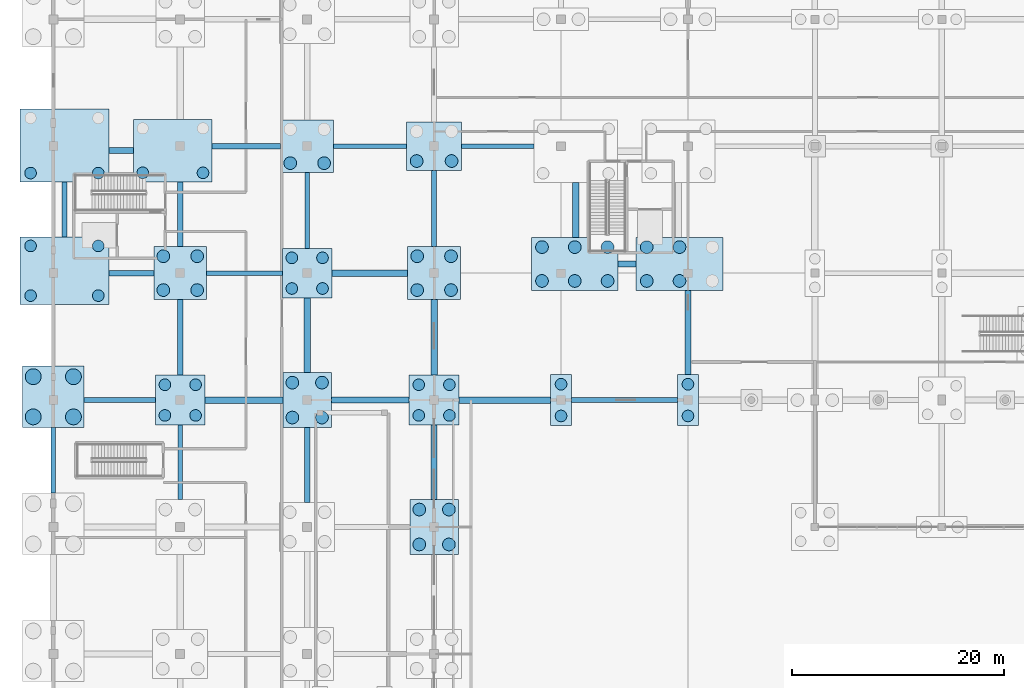
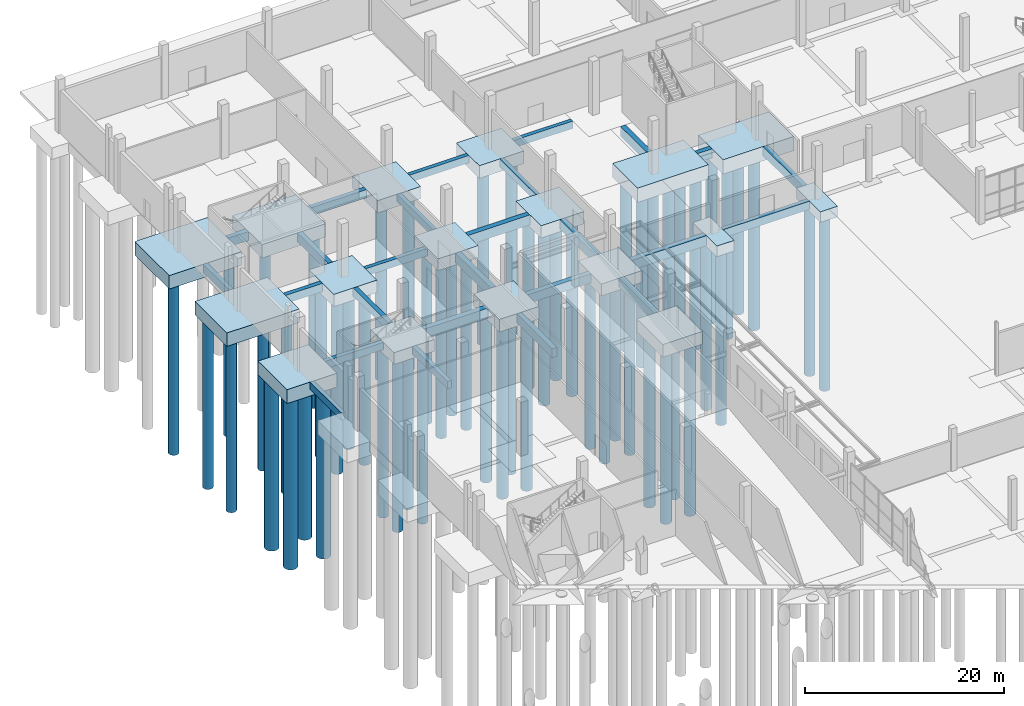
# One storey, part 5 of 117: 58 piles, 43 footings.
"""IFC4 building model written with IfcOpenShell, lengths in metres."""

import ifcopenshell
import ifcopenshell.guid

model = None  # the IFC model being written
_history = None  # IfcOwnerHistory: only IFC2X3 demands one
_inside = {}  # id of a spatial element -> (the spatial element, [elements in it])
_under = {}  # id of a project, library or spatial element -> (it, [spatial elements below it])
_declared = {}  # id of a project -> (the project, [libraries it declares])
_typed = {}  # id of a type object -> (the type object, [elements of that type])
_made_of = {}  # id of a material, layer set ... -> (it, [elements and type objects made of it])


def new_model(schema):
    """Start an empty IFC model of exactly this schema.

    Asked for "IFC4X3", IfcOpenShell would pick the latest addendum, in which some entities
    have other attributes; the version numbers below select the first issue.
    IFC2X3 requires an IfcOwnerHistory on every rooted entity: one is made here for all.
    """
    global model, _history
    if schema == "IFC4X3":
        model = ifcopenshell.file(schema_version=(4, 3, 0, 0))
    else:
        model = ifcopenshell.file(schema=schema)
    _inside.clear()
    _under.clear()
    _declared.clear()
    _typed.clear()
    _made_of.clear()
    _history = None
    if model.schema == "IFC2X3":
        org = make("IfcOrganization", Name="unknown")
        user = make(
            "IfcPersonAndOrganization",
            ThePerson=make("IfcPerson", FamilyName="unknown"),
            TheOrganization=org,
        )
        app = make(
            "IfcApplication",
            ApplicationDeveloper=org,
            Version="unknown",
            ApplicationFullName="unknown",
            ApplicationIdentifier="unknown",
        )
        _history = make(
            "IfcOwnerHistory",
            OwningUser=user,
            OwningApplication=app,
            ChangeAction="ADDED",
            CreationDate=0,
        )
    return model


def make(cls, **values):
    """One entity of the class cls with the attributes given. An attribute that is None is left unset."""
    return model.create_entity(
        cls, **{name: value for name, value in values.items() if value is not None}
    )


def rooted(cls, **values):
    """An entity with a GlobalId (a new one), such as an element, a storey or a relation."""
    return make(cls, GlobalId=ifcopenshell.guid.new(), OwnerHistory=_history, **values)


def si_unit(unit_type, name, prefix=None):
    """IfcSIUnit, for example si_unit("LENGTHUNIT", "METRE", prefix="MILLI")."""
    return make("IfcSIUnit", UnitType=unit_type, Prefix=prefix, Name=name)


def assignment(units):
    """IfcUnitAssignment: the units of a project."""
    return None if units is None else make("IfcUnitAssignment", Units=units)


def point(xyz):
    """IfcCartesianPoint."""
    return None if xyz is None else make("IfcCartesianPoint", Coordinates=xyz)


def direction(xyz):
    """IfcDirection."""
    return None if xyz is None else make("IfcDirection", DirectionRatios=xyz)


def frame(location, z_axis=None, x_axis=None):
    """IfcAxis2Placement3D, a coordinate frame: its origin and axes. An axis left out is left unset."""
    return make(
        "IfcAxis2Placement3D",
        Location=point(location),
        Axis=direction(z_axis),
        RefDirection=direction(x_axis),
    )


def frame_2d(location, x_axis=None):
    """IfcAxis2Placement2D, a coordinate frame in the plane: its origin and x axis."""
    return make(
        "IfcAxis2Placement2D", Location=point(location), RefDirection=direction(x_axis)
    )


def origin():
    """The frame at (0, 0, 0) with its axes left unset."""
    return frame((0.0, 0.0, 0.0))


def origin_2d():
    """The frame at (0, 0) in the plane with its x axis left unset."""
    return frame_2d((0.0, 0.0))


def place(relative_to, where):
    """IfcLocalPlacement: puts the frame where relative to a parent placement (None: the world)."""
    return make(
        "IfcLocalPlacement", PlacementRelTo=relative_to, RelativePlacement=where
    )


def context(
    kind, dimensions, precision=None, world=None, true_north=None, identifier=None
):
    """IfcGeometricRepresentationContext, for example the 3D "Model" context."""
    return make(
        "IfcGeometricRepresentationContext",
        ContextIdentifier=identifier,
        ContextType=kind,
        CoordinateSpaceDimension=dimensions,
        Precision=precision,
        WorldCoordinateSystem=world,
        TrueNorth=true_north,
    )


def subcontext(parent, identifier, kind, view, scale=None):
    """IfcGeometricRepresentationSubContext, for example "Body" below "Model"."""
    return make(
        "IfcGeometricRepresentationSubContext",
        ContextIdentifier=identifier,
        ContextType=kind,
        ParentContext=parent,
        TargetScale=scale,
        TargetView=view,
    )


def project(units=None, contexts=None):
    """IfcProject with its units and contexts."""
    return rooted(
        "IfcProject",
        Name="project",
        RepresentationContexts=contexts,
        UnitsInContext=assignment(units),
    )


def spatial(cls, under=None, at=None, **own):
    """A site, building, storey or space (cls), placed at a placement, below another one or the project."""
    s = rooted(cls, ObjectPlacement=at, **own)
    if under is not None:
        _under.setdefault(under.id(), (under, []))[1].append(s)
    return s


def profile(cls, at=None, kind="AREA", **sizes):
    """A parametric profile (cls). Its sizes go by their IFC names, for example OverallWidth=200.0."""
    return make(cls, ProfileType=kind, Position=at, **sizes)


def rectangle(**sizes):
    """IfcRectangleProfileDef."""
    return profile("IfcRectangleProfileDef", **sizes)


def circle(**sizes):
    """IfcCircleProfileDef."""
    return profile("IfcCircleProfileDef", **sizes)


def extrude(swept, where, along, depth):
    """IfcExtrudedAreaSolid: the profile swept, set in the frame where, extruded along a direction by depth."""
    return make(
        "IfcExtrudedAreaSolid",
        SweptArea=swept,
        Position=where,
        ExtrudedDirection=direction(along),
        Depth=depth,
    )


def shape(context_of_items, identifier, shape_type, items):
    """IfcShapeRepresentation: the items that make up one representation, for example the "Body"."""
    return make(
        "IfcShapeRepresentation",
        ContextOfItems=context_of_items,
        RepresentationIdentifier=identifier,
        RepresentationType=shape_type,
        Items=items,
    )


def material(Name=None, Category=None):
    """IfcMaterial."""
    return make("IfcMaterial", Name=Name, Category=Category)


def material_profile(
    of_material, cross_section, Name=None, Category=None, Priority=None
):
    """IfcMaterialProfile: a cross section and its material."""
    return make(
        "IfcMaterialProfile",
        Name=Name,
        Material=of_material,
        Profile=cross_section,
        Priority=Priority,
        Category=Category,
    )


def profile_set(profiles, Name=None, composite=None):
    """IfcMaterialProfileSet."""
    return make(
        "IfcMaterialProfileSet",
        Name=Name,
        MaterialProfiles=profiles,
        CompositeProfile=composite,
    )


def made_of(thing, what):
    """Note that an element or type object is made of a material, layer set ...; save() writes the relation."""
    if what is not None:
        _made_of.setdefault(what.id(), (what, []))[1].append(thing)
    return thing


def type_object(cls, material=None, **own):
    """A type object (cls), such as IfcWallType, which elements share."""
    return made_of(rooted(cls, **own), material)


def element(
    cls,
    number,
    at=None,
    inside=None,
    cuts=None,
    type_object=None,
    material=None,
    context=None,
    identifier="Body",
    shape_type=None,
    held_by="IfcProductDefinitionShape",
    body=None,
    shapes=None,
    **own,
):
    """One element of the class cls, such as IfcWall. Its Tag is "e" and its number.

    at: its placement. inside: the storey or other place that contains it. cuts: it is an
    opening in that element (IfcRelVoidsElement). A single representation is given by context,
    identifier, shape_type and body (its items); several are given by shapes. held_by: the class
    of the entity that holds the representations. save() writes the other relations.
    """
    e = rooted(cls, Tag="e%d" % number, ObjectPlacement=at, **own)
    if body is not None:
        shapes = [shape(context, identifier, shape_type, body)]
    if shapes is not None:
        e.Representation = make(held_by, Representations=shapes)
    if inside is not None:
        _inside.setdefault(inside.id(), (inside, []))[1].append(e)
    if cuts is not None:
        rooted(
            "IfcRelVoidsElement", RelatingBuildingElement=cuts, RelatedOpeningElement=e
        )
    if type_object is not None:
        _typed.setdefault(type_object.id(), (type_object, []))[1].append(e)
    return made_of(e, material)


def aggregate(whole, parts):
    """IfcRelAggregates: a whole, such as a stair, and the parts it consists of."""
    return rooted("IfcRelAggregates", RelatingObject=whole, RelatedObjects=parts)


def save(model, path):
    """Write the relations noted so far, then the file.

    IfcRelAggregates (storeys below a building ...), IfcRelContainedInSpatialStructure (elements
    in a storey), IfcRelDefinesByType, IfcRelAssociatesMaterial and IfcRelDeclares: one each for
    every whole, place, type object, material and project.
    """
    for whole, parts in _under.values():
        aggregate(whole, parts)
    for where, things in _inside.values():
        rooted(
            "IfcRelContainedInSpatialStructure",
            RelatedElements=things,
            RelatingStructure=where,
        )
    for kind, things in _typed.values():
        rooted("IfcRelDefinesByType", RelatedObjects=things, RelatingType=kind)
    for what, things in _made_of.values():
        rooted("IfcRelAssociatesMaterial", RelatedObjects=things, RelatingMaterial=what)
    for by, libraries in _declared.values():
        rooted("IfcRelDeclares", RelatingContext=by, RelatedDefinitions=libraries)
    model.write(path)


model = new_model("IFC4")

# Units and contexts
model_context = context("Model", 3, precision=1e-05, world=origin(), true_north=direction((0.0, 1.0)))
body_context = subcontext(model_context, "Body", "Model", "MODEL_VIEW")
ifc_project = project(units=[si_unit("LENGTHUNIT", "METRE"), si_unit("AREAUNIT", "SQUARE_METRE"), si_unit("VOLUMEUNIT", "CUBIC_METRE"), si_unit("PLANEANGLEUNIT", "RADIAN"), si_unit("MASSUNIT", "GRAM", prefix="KILO")], contexts=[model_context])

# Site, building, storey
site_placement = place(None, origin())
site = spatial("IfcSite", under=ifc_project, at=site_placement, CompositionType="ELEMENT")
building_placement = place(site_placement, origin())
building = spatial("IfcBuilding", under=site, at=building_placement, Name="Kamomehara Wholesale Market", CompositionType="ELEMENT")
storey_placement = place(building_placement, origin())
storey = spatial("IfcBuildingStorey", under=building, at=storey_placement, Name="L00", CompositionType="ELEMENT", Elevation=0.0)

# Footings
ifc_material_1 = material(Name="Concrete Fc30 (C30/37)", Category="concrete")
footing_type_1 = type_object("IfcFootingType", Name="CAP-2PY-4800", PredefinedType="PILE_CAP", material=ifc_material_1)
for number, where, z_axis, x_axis, name in (
    (1, (48.0, 108.0, -1.2998046875), (0.0, 0.0, 1.0), (1.0, 0.0, 0.0), "Pile cap PC-07"),
    (2, (60.0, 108.0, -1.2998046875), (0.0, 0.0, 1.0), (1.0, 0.0, 0.0), "Pile cap PC-07"),
):
    element("IfcFooting", number, at=place(storey_placement, frame(where, z_axis=z_axis, x_axis=x_axis)), inside=storey, type_object=footing_type_1, Name=name, PredefinedType="PILE_CAP", context=body_context, shape_type="SweptSolid", body=[
        extrude(rectangle(XDim=2.0, YDim=4.800048828125, at=origin_2d()), origin(), (0.0, 0.0, 1.0), 1.300048828125),
    ])
ifc_material_2 = material(Name="Concrete Fc30 (C30/37)", Category="concrete")
footing_type_2 = type_object("IfcFootingType", Name="CAP-4P-4700", PredefinedType="PILE_CAP", material=ifc_material_2)
for number, where, z_axis, x_axis, name in (
    (3, (12.0, 108.0, -1.4501953125), (0.0, 0.0, 1.0), (1.0, 0.0, 0.0), "Pile cap PC-11"),
    (4, (24.0, 120.0, -1.4501953125), (0.0, 0.0, 1.0), (1.0, 0.0, 0.0), "Pile cap PC-11"),
    (5, (36.0, 108.0, -1.4501953125), (0.0, 0.0, 1.0), (1.0, 0.0, 0.0), "Pile cap PC-11"),
):
    element("IfcFooting", number, at=place(storey_placement, frame(where, z_axis=z_axis, x_axis=x_axis)), inside=storey, type_object=footing_type_2, Name=name, PredefinedType="PILE_CAP", context=body_context, shape_type="SweptSolid", body=[
        extrude(rectangle(XDim=4.699951171875, YDim=4.699951171875, at=origin_2d()), origin(), (0.0, 0.0, 1.0), 1.449951171875),
    ])
ifc_material_3 = material(Name="Concrete Fc30 (C30/37)", Category="concrete")
footing_type_3 = type_object("IfcFootingType", Name="CAP-4P-5000", PredefinedType="PILE_CAP", material=ifc_material_3)
for number, where, z_axis, x_axis, name in (
    (6, (12.0, 120.0, -1.5), (0.0, 0.0, 1.0), (1.0, 0.0, 0.0), "Pile cap PC-12"),
    (7, (24.0, 132.0, -1.5), (0.0, 0.0, 1.0), (1.0, 0.0, 0.0), "Pile cap PC-12"),
    (8, (36.0, 120.0, -1.5), (0.0, 0.0, 1.0), (1.0, 0.0, 0.0), "Pile cap PC-12"),
):
    element("IfcFooting", number, at=place(storey_placement, frame(where, z_axis=z_axis, x_axis=x_axis)), inside=storey, type_object=footing_type_3, Name=name, PredefinedType="PILE_CAP", context=body_context, shape_type="SweptSolid", body=[
        extrude(rectangle(XDim=5.0, YDim=5.0, at=origin_2d()), origin(), (0.0, 0.0, 1.0), 1.5),
    ])
ifc_material_4 = material(Name="Concrete Fc30 (C30/37)", Category="concrete")
footing_type_4 = type_object("IfcFootingType", Name="CAP-4P-5800", PredefinedType="PILE_CAP", material=ifc_material_4)
footing_1_placement = place(storey_placement, frame((0.0, 108.31201171875, -1.7001953125), z_axis=(0.0, 0.0, 1.0), x_axis=(1.0, 0.0, 0.0)))
element("IfcFooting", 9, at=footing_1_placement, inside=storey, type_object=footing_type_4, Name="Pile cap PC-14", PredefinedType="PILE_CAP", context=body_context, shape_type="SweptSolid", body=[
    extrude(rectangle(XDim=5.800048828125, YDim=5.800048828125, at=origin_2d()), origin(), (0.0, 0.0, 1.0), 1.699951171875),
])
ifc_material_5 = material(Name="Concrete Fc30 (C30/37)", Category="concrete")
footing_type_5 = type_object("IfcFootingType", Name="CAP-4PR-4600", PredefinedType="PILE_CAP", material=ifc_material_5)
for number, where, z_axis, x_axis, name in (
    (10, (24.0, 108.0, -1.5498046875), (0.0, 0.0, 1.0), (1.0, 0.0, 0.0), "Pile cap PC-16"),
    (11, (36.0, 96.0, -1.5498046875), (0.0, 0.0, 1.0), (1.0, 0.0, 0.0), "Pile cap PC-16"),
):
    element("IfcFooting", number, at=place(storey_placement, frame(where, z_axis=z_axis, x_axis=x_axis)), inside=storey, type_object=footing_type_5, Name=name, PredefinedType="PILE_CAP", context=body_context, shape_type="SweptSolid", body=[
        extrude(rectangle(XDim=4.60009765625, YDim=5.199951171875, at=origin_2d()), origin(), (0.0, 0.0, 1.0), 1.550048828125),
    ])
ifc_material_6 = material(Name="Concrete Fc30 (C30/37)", Category="concrete")
footing_type_6 = type_object("IfcFootingType", Name="CAP-4PR-5200", PredefinedType="PILE_CAP", material=ifc_material_6)
footing_2_placement = place(storey_placement, frame((36.0, 132.0, -1.5498046875), z_axis=(0.0, 0.0, 1.0), x_axis=(1.0, 0.0, 0.0)))
element("IfcFooting", 12, at=footing_2_placement, inside=storey, type_object=footing_type_6, Name="Pile cap PC-15", PredefinedType="PILE_CAP", context=body_context, shape_type="SweptSolid", body=[
    extrude(rectangle(XDim=5.199951171875, YDim=4.60009765625, at=origin_2d()), origin(), (0.0, 0.0, 1.0), 1.550048828125),
])
ifc_material_7 = material(Name="Concrete Fc30 (C30/37)", Category="concrete")
footing_type_7 = type_object("IfcFootingType", Name="CAP-6P-8200", PredefinedType="PILE_CAP", material=ifc_material_7)
for number, where, z_axis, x_axis, name in (
    (13, (49.300048828125, 120.862060546875, -1.75), (0.0, 0.0, 1.0), (1.0, 0.0, 0.0), "Pile cap PC-17"),
    (14, (59.199951171875, 120.862060546875, -1.75), (0.0, 0.0, 1.0), (1.0, 0.0, 0.0), "Pile cap PC-17"),
):
    element("IfcFooting", number, at=place(storey_placement, frame(where, z_axis=z_axis, x_axis=x_axis)), inside=storey, type_object=footing_type_7, Name=name, PredefinedType="PILE_CAP", context=body_context, shape_type="SweptSolid", body=[
        extrude(rectangle(XDim=8.199951171875, YDim=5.0, at=origin_2d()), origin(), (0.0, 0.0, 1.0), 1.75),
    ])
ifc_material_8 = material(Name="Concrete Fc30 (C30/37)", Category="concrete")
footing_type_8 = type_object("IfcFootingType", Name="CAP-CMB-740x590", PredefinedType="PILE_CAP", material=ifc_material_8)
footing_3_placement = place(storey_placement, frame((11.300048828125, 131.587890625, -1.64990234375), z_axis=(0.0, 0.0, 1.0), x_axis=(1.0, 0.0, 0.0)))
element("IfcFooting", 15, at=footing_3_placement, inside=storey, type_object=footing_type_8, Name="Pile cap PCC-74x59", PredefinedType="PILE_CAP", context=body_context, shape_type="SweptSolid", body=[
    extrude(rectangle(XDim=7.39990234375, YDim=5.89990234375, at=origin_2d()), origin(), (0.0, 0.0, 1.0), 1.64990234375),
])
ifc_material_9 = material(Name="Concrete Fc30 (C30/37)", Category="concrete")
footing_type_9 = type_object("IfcFootingType", Name="CAP-CMB-840x640", PredefinedType="PILE_CAP", material=ifc_material_9)
footing_4_placement = place(storey_placement, frame((1.050048828125, 120.22509765625, -1.64990234375), z_axis=(0.0, 0.0, 1.0), x_axis=(1.0, 0.0, 0.0)))
element("IfcFooting", 16, at=footing_4_placement, inside=storey, type_object=footing_type_9, Name="Pile cap PCC-84x64", PredefinedType="PILE_CAP", context=body_context, shape_type="SweptSolid", body=[
    extrude(rectangle(XDim=8.39990234375, YDim=6.39990234375, at=origin_2d()), origin(), (0.0, 0.0, 1.0), 1.64990234375),
])
ifc_material_10 = material(Name="Concrete Fc30 (C30/37)", Category="concrete")
footing_type_10 = type_object("IfcFootingType", Name="CAP-CMB-840x690", PredefinedType="PILE_CAP", material=ifc_material_10)
footing_5_placement = place(storey_placement, frame((1.050048828125, 132.06201171875, -1.64990234375), z_axis=(0.0, 0.0, 1.0), x_axis=(1.0, 0.0, 0.0)))
element("IfcFooting", 17, at=footing_5_placement, inside=storey, type_object=footing_type_10, Name="Pile cap PCC-84x69", PredefinedType="PILE_CAP", context=body_context, shape_type="SweptSolid", body=[
    extrude(rectangle(XDim=8.39990234375, YDim=6.89990234375, at=origin_2d()), origin(), (0.0, 0.0, 1.0), 1.64990234375),
])
ifc_material_11 = material(Name="Concrete Fc30 (C30/37)", Category="concrete")
ifc_material_profile_1 = material_profile(ifc_material_11, rectangle(XDim=0.449951171875, YDim=0.89990234375, at=origin_2d()), Name="RC-FTB-450x900")
ifc_profile_set_1 = profile_set([ifc_material_profile_1], Name="Concrete Fc30 (C30/37)")
footing_type_11 = type_object("IfcFootingType", Name="FTB-450x900", PredefinedType="FOOTING_BEAM", material=ifc_profile_set_1)
footing_6_placement = place(storey_placement, frame((2.902099609375, 108.0, -0.449951171875), z_axis=(1.0, 0.0, 0.0), x_axis=(0.0, 1.0, 0.0)))
element("IfcFooting", 18, at=footing_6_placement, inside=storey, type_object=footing_type_11, Name="Foundation tie beam 7", PredefinedType="FOOTING_BEAM", context=body_context, shape_type="SweptSolid", body=[
    extrude(rectangle(XDim=0.449951171875, YDim=0.89990234375, at=origin_2d()), origin(), (0.0, 0.0, 1.0), 6.745849609375),
])
footing_7_placement = place(storey_placement, frame((14.501953125, 120.0, -0.449951171875), z_axis=(1.0, 0.0, 0.0), x_axis=(0.0, 1.0, 0.0)))
element("IfcFooting", 19, at=footing_7_placement, inside=storey, type_object=footing_type_11, Name="Foundation tie beam 19", PredefinedType="FOOTING_BEAM", context=body_context, shape_type="SweptSolid", body=[
    extrude(rectangle(XDim=0.449951171875, YDim=0.89990234375, at=origin_2d()), origin(), (0.0, 0.0, 1.0), 7.14599609375),
])
footing_8_placement = place(storey_placement, frame((26.501953125, 132.0, -0.449951171875), z_axis=(1.0, 0.0, 0.0), x_axis=(0.0, 1.0, 0.0)))
element("IfcFooting", 20, at=footing_8_placement, inside=storey, type_object=footing_type_11, Name="Foundation tie beam 31", PredefinedType="FOOTING_BEAM", context=body_context, shape_type="SweptSolid", body=[
    extrude(rectangle(XDim=0.449951171875, YDim=0.89990234375, at=origin_2d()), origin(), (0.0, 0.0, 1.0), 6.89599609375),
])
footing_9_placement = place(storey_placement, frame((38.60205078125, 132.0, -0.449951171875), z_axis=(1.0, 0.0, 0.0), x_axis=(0.0, 1.0, 0.0)))
element("IfcFooting", 21, at=footing_9_placement, inside=storey, type_object=footing_type_11, Name="Foundation tie beam 39", PredefinedType="FOOTING_BEAM", context=body_context, shape_type="SweptSolid", body=[
    extrude(rectangle(XDim=0.449951171875, YDim=0.89990234375, at=origin_2d()), origin(), (0.0, 0.0, 1.0), 6.845947265625),
])
footing_10_placement = place(storey_placement, frame((0.0, 99.201904296875, -0.449951171875), z_axis=(0.0, 1.0, 0.0), x_axis=(-1.0, 0.0, 0.0)))
element("IfcFooting", 22, at=footing_10_placement, inside=storey, type_object=footing_type_11, Name="Foundation tie beam 207", PredefinedType="FOOTING_BEAM", context=body_context, shape_type="SweptSolid", body=[
    extrude(rectangle(XDim=0.449951171875, YDim=0.89990234375, at=origin_2d()), origin(), (0.0, 0.0, 1.0), 6.2080078125),
])
footing_11_placement = place(storey_placement, frame((12.0, 98.60205078125, -0.449951171875), z_axis=(0.0, 1.0, 0.0), x_axis=(-1.0, 0.0, 0.0)))
element("IfcFooting", 23, at=footing_11_placement, inside=storey, type_object=footing_type_11, Name="Foundation tie beam 215", PredefinedType="FOOTING_BEAM", context=body_context, shape_type="SweptSolid", body=[
    extrude(rectangle(XDim=0.449951171875, YDim=0.89990234375, at=origin_2d()), origin(), (0.0, 0.0, 1.0), 7.0458984375),
])
footing_12_placement = place(storey_placement, frame((24.0, 122.35205078125, -0.449951171875), z_axis=(0.0, 1.0, 0.0), x_axis=(-1.0, 0.0, 0.0)))
element("IfcFooting", 24, at=footing_12_placement, inside=storey, type_object=footing_type_11, Name="Foundation tie beam 227", PredefinedType="FOOTING_BEAM", context=body_context, shape_type="SweptSolid", body=[
    extrude(rectangle(XDim=0.449951171875, YDim=0.89990234375, at=origin_2d()), origin(), (0.0, 0.0, 1.0), 7.14599609375),
])
footing_13_placement = place(storey_placement, frame((36.0, 122.501953125, -0.449951171875), z_axis=(0.0, 1.0, 0.0), x_axis=(-1.0, 0.0, 0.0)))
element("IfcFooting", 25, at=footing_13_placement, inside=storey, type_object=footing_type_11, Name="Foundation tie beam 239", PredefinedType="FOOTING_BEAM", context=body_context, shape_type="SweptSolid", body=[
    extrude(rectangle(XDim=0.449951171875, YDim=0.89990234375, at=origin_2d()), origin(), (0.0, 0.0, 1.0), 7.196044921875),
])
ifc_material_12 = material(Name="Concrete Fc30 (C30/37)", Category="concrete")
ifc_material_profile_2 = material_profile(ifc_material_12, rectangle(XDim=0.5, YDim=1.0, at=origin_2d()), Name="RC-FTB-500x1000")
ifc_profile_set_2 = profile_set([ifc_material_profile_2], Name="Concrete Fc30 (C30/37)")
footing_type_12 = type_object("IfcFootingType", Name="FTB-500x1000", PredefinedType="FOOTING_BEAM", material=ifc_profile_set_2)
footing_14_placement = place(storey_placement, frame((5.251953125, 120.0, -0.5), z_axis=(1.0, 0.0, 0.0), x_axis=(0.0, 1.0, 0.0)))
element("IfcFooting", 26, at=footing_14_placement, inside=storey, type_object=footing_type_12, Name="Foundation tie beam 8", PredefinedType="FOOTING_BEAM", context=body_context, shape_type="SweptSolid", body=[
    extrude(rectangle(XDim=0.5, YDim=1.0, at=origin_2d()), origin(), (0.0, 0.0, 1.0), 4.24609375),
])
footing_15_placement = place(storey_placement, frame((15.001953125, 132.0, -0.5), z_axis=(1.0, 0.0, 0.0), x_axis=(0.0, 1.0, 0.0)))
element("IfcFooting", 27, at=footing_15_placement, inside=storey, type_object=footing_type_12, Name="Foundation tie beam 20", PredefinedType="FOOTING_BEAM", context=body_context, shape_type="SweptSolid", body=[
    extrude(rectangle(XDim=0.5, YDim=1.0, at=origin_2d()), origin(), (0.0, 0.0, 1.0), 6.49609375),
])
footing_16_placement = place(storey_placement, frame((49.001953125, 108.0, -0.5), z_axis=(1.0, 0.0, 0.0), x_axis=(0.0, 1.0, 0.0)))
element("IfcFooting", 28, at=footing_16_placement, inside=storey, type_object=footing_type_12, Name="Foundation tie beam 48", PredefinedType="FOOTING_BEAM", context=body_context, shape_type="SweptSolid", body=[
    extrude(rectangle(XDim=0.5, YDim=1.0, at=origin_2d()), origin(), (0.0, 0.0, 1.0), 9.99609375),
])
footing_17_placement = place(storey_placement, frame((1.050048828125, 123.427001953125, -0.5), z_axis=(0.0, 1.0, 0.0), x_axis=(-1.0, 0.0, 0.0)))
element("IfcFooting", 29, at=footing_17_placement, inside=storey, type_object=footing_type_12, Name="Foundation tie beam 208", PredefinedType="FOOTING_BEAM", context=body_context, shape_type="SweptSolid", body=[
    extrude(rectangle(XDim=0.5, YDim=1.0, at=origin_2d()), origin(), (0.0, 0.0, 1.0), 5.18310546875),
])
footing_18_placement = place(storey_placement, frame((12.0, 110.35205078125, -0.5), z_axis=(0.0, 1.0, 0.0), x_axis=(-1.0, 0.0, 0.0)))
element("IfcFooting", 30, at=footing_18_placement, inside=storey, type_object=footing_type_12, Name="Foundation tie beam 216", PredefinedType="FOOTING_BEAM", context=body_context, shape_type="SweptSolid", body=[
    extrude(rectangle(XDim=0.5, YDim=1.0, at=origin_2d()), origin(), (0.0, 0.0, 1.0), 7.14599609375),
])
ifc_material_13 = material(Name="Concrete Fc30 (C30/37)", Category="concrete")
ifc_material_profile_3 = material_profile(ifc_material_13, rectangle(XDim=0.550048828125, YDim=1.10009765625, at=origin_2d()), Name="RC-FTB-550x1100")
ifc_profile_set_3 = profile_set([ifc_material_profile_3], Name="Concrete Fc30 (C30/37)")
footing_type_13 = type_object("IfcFootingType", Name="FTB-550x1100", PredefinedType="FOOTING_BEAM", material=ifc_profile_set_3)
footing_19_placement = place(storey_placement, frame((5.251953125, 131.587890625, -0.550048828125), z_axis=(1.0, 0.0, 0.0), x_axis=(0.0, 1.0, 0.0)))
element("IfcFooting", 31, at=footing_19_placement, inside=storey, type_object=footing_type_13, Name="Foundation tie beam 9", PredefinedType="FOOTING_BEAM", context=body_context, shape_type="SweptSolid", body=[
    extrude(rectangle(XDim=0.550048828125, YDim=1.10009765625, at=origin_2d()), origin(), (0.0, 0.0, 1.0), 2.345947265625),
])
footing_20_placement = place(storey_placement, frame((26.302001953125, 108.0, -0.550048828125), z_axis=(1.0, 0.0, 0.0), x_axis=(0.0, 1.0, 0.0)))
element("IfcFooting", 32, at=footing_20_placement, inside=storey, type_object=footing_type_13, Name="Foundation tie beam 29", PredefinedType="FOOTING_BEAM", context=body_context, shape_type="SweptSolid", body=[
    extrude(rectangle(XDim=0.550048828125, YDim=1.10009765625, at=origin_2d()), origin(), (0.0, 0.0, 1.0), 7.345947265625),
])
footing_21_placement = place(storey_placement, frame((53.402099609375, 120.862060546875, -0.550048828125), z_axis=(1.0, 0.0, 0.0), x_axis=(0.0, 1.0, 0.0)))
element("IfcFooting", 33, at=footing_21_placement, inside=storey, type_object=footing_type_13, Name="Foundation tie beam 49", PredefinedType="FOOTING_BEAM", context=body_context, shape_type="SweptSolid", body=[
    extrude(rectangle(XDim=0.550048828125, YDim=1.10009765625, at=origin_2d()), origin(), (0.0, 0.0, 1.0), 1.69580078125),
])
footing_22_placement = place(storey_placement, frame((12.0, 122.501953125, -0.550048828125), z_axis=(0.0, 1.0, 0.0), x_axis=(-1.0, 0.0, 0.0)))
element("IfcFooting", 34, at=footing_22_placement, inside=storey, type_object=footing_type_13, Name="Foundation tie beam 217", PredefinedType="FOOTING_BEAM", context=body_context, shape_type="SweptSolid", body=[
    extrude(rectangle(XDim=0.550048828125, YDim=1.10009765625, at=origin_2d()), origin(), (0.0, 0.0, 1.0), 6.134033203125),
])
footing_23_placement = place(storey_placement, frame((24.0, 98.302001953125, -0.550048828125), z_axis=(0.0, 1.0, 0.0), x_axis=(-1.0, 0.0, 0.0)))
element("IfcFooting", 35, at=footing_23_placement, inside=storey, type_object=footing_type_13, Name="Foundation tie beam 225", PredefinedType="FOOTING_BEAM", context=body_context, shape_type="SweptSolid", body=[
    extrude(rectangle(XDim=0.550048828125, YDim=1.10009765625, at=origin_2d()), origin(), (0.0, 0.0, 1.0), 7.095947265625),
])
footing_24_placement = place(storey_placement, frame((36.0, 98.60205078125, -0.550048828125), z_axis=(0.0, 1.0, 0.0), x_axis=(-1.0, 0.0, 0.0)))
element("IfcFooting", 36, at=footing_24_placement, inside=storey, type_object=footing_type_13, Name="Foundation tie beam 237", PredefinedType="FOOTING_BEAM", context=body_context, shape_type="SweptSolid", body=[
    extrude(rectangle(XDim=0.550048828125, YDim=1.10009765625, at=origin_2d()), origin(), (0.0, 0.0, 1.0), 7.0458984375),
])
footing_25_placement = place(storey_placement, frame((60.0, 110.402099609375, -0.550048828125), z_axis=(0.0, 1.0, 0.0), x_axis=(-1.0, 0.0, 0.0)))
element("IfcFooting", 37, at=footing_25_placement, inside=storey, type_object=footing_type_13, Name="Foundation tie beam 253", PredefinedType="FOOTING_BEAM", context=body_context, shape_type="SweptSolid", body=[
    extrude(rectangle(XDim=0.550048828125, YDim=1.10009765625, at=origin_2d()), origin(), (0.0, 0.0, 1.0), 7.9580078125),
])
ifc_material_14 = material(Name="Concrete Fc30 (C30/37)", Category="concrete")
ifc_material_profile_4 = material_profile(ifc_material_14, rectangle(XDim=0.60009765625, YDim=1.199951171875, at=origin_2d()), Name="RC-FTB-600x1200")
ifc_profile_set_4 = profile_set([ifc_material_profile_4], Name="Concrete Fc30 (C30/37)")
footing_type_14 = type_object("IfcFootingType", Name="FTB-600x1200", PredefinedType="FOOTING_BEAM", material=ifc_profile_set_4)
footing_26_placement = place(storey_placement, frame((14.35205078125, 108.0, -0.60009765625), z_axis=(1.0, 0.0, 0.0), x_axis=(0.0, 1.0, 0.0)))
element("IfcFooting", 38, at=footing_26_placement, inside=storey, type_object=footing_type_14, Name="Foundation tie beam 18", PredefinedType="FOOTING_BEAM", context=body_context, shape_type="SweptSolid", body=[
    extrude(rectangle(XDim=0.60009765625, YDim=1.199951171875, at=origin_2d()), origin(), (0.0, 0.0, 1.0), 7.345947265625),
])
footing_27_placement = place(storey_placement, frame((26.35205078125, 120.0, -0.60009765625), z_axis=(1.0, 0.0, 0.0), x_axis=(0.0, 1.0, 0.0)))
element("IfcFooting", 39, at=footing_27_placement, inside=storey, type_object=footing_type_14, Name="Foundation tie beam 30", PredefinedType="FOOTING_BEAM", context=body_context, shape_type="SweptSolid", body=[
    extrude(rectangle(XDim=0.60009765625, YDim=1.199951171875, at=origin_2d()), origin(), (0.0, 0.0, 1.0), 7.14599609375),
])
footing_28_placement = place(storey_placement, frame((38.35205078125, 108.0, -0.60009765625), z_axis=(1.0, 0.0, 0.0), x_axis=(0.0, 1.0, 0.0)))
element("IfcFooting", 40, at=footing_28_placement, inside=storey, type_object=footing_type_14, Name="Foundation tie beam 38", PredefinedType="FOOTING_BEAM", context=body_context, shape_type="SweptSolid", body=[
    extrude(rectangle(XDim=0.60009765625, YDim=1.199951171875, at=origin_2d()), origin(), (0.0, 0.0, 1.0), 8.64599609375),
])
footing_29_placement = place(storey_placement, frame((24.0, 110.60205078125, -0.60009765625), z_axis=(0.0, 1.0, 0.0), x_axis=(-1.0, 0.0, 0.0)))
element("IfcFooting", 41, at=footing_29_placement, inside=storey, type_object=footing_type_14, Name="Foundation tie beam 226", PredefinedType="FOOTING_BEAM", context=body_context, shape_type="SweptSolid", body=[
    extrude(rectangle(XDim=0.60009765625, YDim=1.199951171875, at=origin_2d()), origin(), (0.0, 0.0, 1.0), 7.0458984375),
])
footing_30_placement = place(storey_placement, frame((36.0, 110.35205078125, -0.60009765625), z_axis=(0.0, 1.0, 0.0), x_axis=(-1.0, 0.0, 0.0)))
element("IfcFooting", 42, at=footing_30_placement, inside=storey, type_object=footing_type_14, Name="Foundation tie beam 238", PredefinedType="FOOTING_BEAM", context=body_context, shape_type="SweptSolid", body=[
    extrude(rectangle(XDim=0.60009765625, YDim=1.199951171875, at=origin_2d()), origin(), (0.0, 0.0, 1.0), 7.14599609375),
])
footing_31_placement = place(storey_placement, frame((49.39990234375, 123.364013671875, -0.60009765625), z_axis=(0.0, 1.0, 0.0), x_axis=(-1.0, 0.0, 0.0)))
element("IfcFooting", 43, at=footing_31_placement, inside=storey, type_object=footing_type_14, Name="Foundation tie beam 246", PredefinedType="FOOTING_BEAM", context=body_context, shape_type="SweptSolid", body=[
    extrude(rectangle(XDim=0.60009765625, YDim=1.199951171875, at=origin_2d()), origin(), (0.0, 0.0, 1.0), 5.220947265625),
])

# Piles
ifc_material_15 = material(Name="Concrete Fc30 (C30/37)", Category="concrete")
ifc_material_profile_5 = material_profile(ifc_material_15, circle(Radius=0.550048828125, at=origin_2d()), Name="RC-PILE-D1100")
ifc_profile_set_5 = profile_set([ifc_material_profile_5], Name="Concrete Fc30 (C30/37)")
pile_type_1 = type_object("IfcPileType", Name="PILE-D1100", PredefinedType="BORED", material=ifc_profile_set_5)
for number, where, z_axis, x_axis, name in (
    (44, (-2.14990234375, 117.875, -1.550048828125), (0.0, 0.0, -1.0), (1.0, 0.0, 0.0), "Bored pile 8.29"),
    (45, (4.25, 117.875, -1.550048828125), (0.0, 0.0, -1.0), (1.0, 0.0, 0.0), "Bored pile 8.30"),
    (46, (-2.14990234375, 122.574951171875, -1.550048828125), (0.0, 0.0, -1.0), (1.0, 0.0, 0.0), "Bored pile 8.31"),
    (47, (4.25, 122.574951171875, -1.550048828125), (0.0, 0.0, -1.0), (1.0, 0.0, 0.0), "Bored pile 8.32"),
    (48, (-2.14990234375, 129.4619140625, -1.550048828125), (0.0, 0.0, -1.0), (1.0, 0.0, 0.0), "Bored pile 9.33"),
    (49, (4.25, 129.4619140625, -1.550048828125), (0.0, 0.0, -1.0), (1.0, 0.0, 0.0), "Bored pile 9.34"),
):
    element("IfcPile", number, at=place(storey_placement, frame(where, z_axis=z_axis, x_axis=x_axis)), inside=storey, type_object=pile_type_1, Name=name, PredefinedType="BORED", context=body_context, shape_type="SweptSolid", body=[
        extrude(circle(Radius=0.550048828125, at=origin_2d()), origin(), (0.0, 0.0, 1.0), 20.949951171875),
    ])
for number, where, z_axis, x_axis, name in (
    (50, (10.550048828125, 106.550048828125, -1.35009765625), (0.0, 0.0, -1.0), (1.0, 0.0, 0.0), "Bored pile 18.67"),
    (51, (13.449951171875, 106.550048828125, -1.35009765625), (0.0, 0.0, -1.0), (1.0, 0.0, 0.0), "Bored pile 18.68"),
    (52, (10.550048828125, 109.449951171875, -1.35009765625), (0.0, 0.0, -1.0), (1.0, 0.0, 0.0), "Bored pile 18.69"),
    (53, (13.449951171875, 109.449951171875, -1.35009765625), (0.0, 0.0, -1.0), (1.0, 0.0, 0.0), "Bored pile 18.70"),
):
    element("IfcPile", number, at=place(storey_placement, frame(where, z_axis=z_axis, x_axis=x_axis)), inside=storey, type_object=pile_type_1, Name=name, PredefinedType="BORED", context=body_context, shape_type="SweptSolid", body=[
        extrude(circle(Radius=0.550048828125, at=origin_2d()), origin(), (0.0, 0.0, 1.0), 21.14990234375),
    ])
for number, where, z_axis, x_axis, name in (
    (54, (8.449951171875, 129.488037109375, -1.550048828125), (0.0, 0.0, -1.0), (1.0, 0.0, 0.0), "Bored pile 20.75"),
    (55, (14.14990234375, 129.488037109375, -1.550048828125), (0.0, 0.0, -1.0), (1.0, 0.0, 0.0), "Bored pile 20.76"),
):
    element("IfcPile", number, at=place(storey_placement, frame(where, z_axis=z_axis, x_axis=x_axis)), inside=storey, type_object=pile_type_1, Name=name, PredefinedType="BORED", context=body_context, shape_type="SweptSolid", body=[
        extrude(circle(Radius=0.550048828125, at=origin_2d()), origin(), (0.0, 0.0, 1.0), 20.949951171875),
    ])
for number, where, z_axis, x_axis, name in (
    (56, (22.550048828125, 118.550048828125, -1.35009765625), (0.0, 0.0, -1.0), (1.0, 0.0, 0.0), "Bored pile 30.113"),
    (57, (25.449951171875, 118.550048828125, -1.35009765625), (0.0, 0.0, -1.0), (1.0, 0.0, 0.0), "Bored pile 30.114"),
    (58, (22.550048828125, 121.449951171875, -1.35009765625), (0.0, 0.0, -1.0), (1.0, 0.0, 0.0), "Bored pile 30.115"),
    (59, (25.449951171875, 121.449951171875, -1.35009765625), (0.0, 0.0, -1.0), (1.0, 0.0, 0.0), "Bored pile 30.116"),
    (60, (34.550048828125, 106.550048828125, -1.35009765625), (0.0, 0.0, -1.0), (1.0, 0.0, 0.0), "Bored pile 42.152"),
    (61, (37.449951171875, 106.550048828125, -1.35009765625), (0.0, 0.0, -1.0), (1.0, 0.0, 0.0), "Bored pile 42.153"),
    (62, (34.550048828125, 109.449951171875, -1.35009765625), (0.0, 0.0, -1.0), (1.0, 0.0, 0.0), "Bored pile 42.154"),
    (63, (37.449951171875, 109.449951171875, -1.35009765625), (0.0, 0.0, -1.0), (1.0, 0.0, 0.0), "Bored pile 42.155"),
):
    element("IfcPile", number, at=place(storey_placement, frame(where, z_axis=z_axis, x_axis=x_axis)), inside=storey, type_object=pile_type_1, Name=name, PredefinedType="BORED", context=body_context, shape_type="SweptSolid", body=[
        extrude(circle(Radius=0.550048828125, at=origin_2d()), origin(), (0.0, 0.0, 1.0), 21.14990234375),
    ])
for number, where, z_axis, x_axis, name in (
    (64, (48.0, 106.5, -1.199951171875), (0.0, 0.0, -1.0), (1.0, 0.0, 0.0), "Bored pile 53.181"),
    (65, (48.0, 109.5, -1.199951171875), (0.0, 0.0, -1.0), (1.0, 0.0, 0.0), "Bored pile 53.182"),
    (66, (60.0, 106.5, -1.199951171875), (0.0, 0.0, -1.0), (1.0, 0.0, 0.0), "Bored pile 64.213"),
    (67, (60.0, 109.5, -1.199951171875), (0.0, 0.0, -1.0), (1.0, 0.0, 0.0), "Bored pile 64.214"),
):
    element("IfcPile", number, at=place(storey_placement, frame(where, z_axis=z_axis, x_axis=x_axis)), inside=storey, type_object=pile_type_1, Name=name, PredefinedType="BORED", context=body_context, shape_type="SweptSolid", body=[
        extrude(circle(Radius=0.550048828125, at=origin_2d()), origin(), (0.0, 0.0, 1.0), 21.300048828125),
    ])
ifc_material_16 = material(Name="Concrete Fc30 (C30/37)", Category="concrete")
ifc_material_profile_6 = material_profile(ifc_material_16, circle(Radius=0.60009765625, at=origin_2d()), Name="RC-PILE-D1200")
ifc_profile_set_6 = profile_set([ifc_material_profile_6], Name="Concrete Fc30 (C30/37)")
pile_type_2 = type_object("IfcPileType", Name="PILE-D1200", PredefinedType="BORED", material=ifc_profile_set_6)
for number, where, z_axis, x_axis, name in (
    (68, (10.39990234375, 118.39990234375, -1.39990234375), (0.0, 0.0, -1.0), (1.0, 0.0, 0.0), "Bored pile 19.71"),
    (69, (13.60009765625, 118.39990234375, -1.39990234375), (0.0, 0.0, -1.0), (1.0, 0.0, 0.0), "Bored pile 19.72"),
    (70, (10.39990234375, 121.60009765625, -1.39990234375), (0.0, 0.0, -1.0), (1.0, 0.0, 0.0), "Bored pile 19.73"),
    (71, (13.60009765625, 121.60009765625, -1.39990234375), (0.0, 0.0, -1.0), (1.0, 0.0, 0.0), "Bored pile 19.74"),
):
    element("IfcPile", number, at=place(storey_placement, frame(where, z_axis=z_axis, x_axis=x_axis)), inside=storey, type_object=pile_type_2, Name=name, PredefinedType="BORED", context=body_context, shape_type="SweptSolid", body=[
        extrude(circle(Radius=0.60009765625, at=origin_2d()), origin(), (0.0, 0.0, 1.0), 21.10009765625),
    ])
for number, where, z_axis, x_axis, name in (
    (72, (22.60009765625, 106.35009765625, -1.449951171875), (0.0, 0.0, -1.0), (1.0, 0.0, 0.0), "Bored pile 29.109"),
    (73, (25.39990234375, 106.35009765625, -1.449951171875), (0.0, 0.0, -1.0), (1.0, 0.0, 0.0), "Bored pile 29.110"),
    (74, (22.60009765625, 109.64990234375, -1.449951171875), (0.0, 0.0, -1.0), (1.0, 0.0, 0.0), "Bored pile 29.111"),
    (75, (25.39990234375, 109.64990234375, -1.449951171875), (0.0, 0.0, -1.0), (1.0, 0.0, 0.0), "Bored pile 29.112"),
):
    element("IfcPile", number, at=place(storey_placement, frame(where, z_axis=z_axis, x_axis=x_axis)), inside=storey, type_object=pile_type_2, Name=name, PredefinedType="BORED", context=body_context, shape_type="SweptSolid", body=[
        extrude(circle(Radius=0.60009765625, at=origin_2d()), origin(), (0.0, 0.0, 1.0), 21.050048828125),
    ])
for number, where, z_axis, x_axis, name in (
    (76, (22.39990234375, 130.39990234375, -1.39990234375), (0.0, 0.0, -1.0), (1.0, 0.0, 0.0), "Bored pile 31.117"),
    (77, (25.60009765625, 130.39990234375, -1.39990234375), (0.0, 0.0, -1.0), (1.0, 0.0, 0.0), "Bored pile 31.118"),
):
    element("IfcPile", number, at=place(storey_placement, frame(where, z_axis=z_axis, x_axis=x_axis)), inside=storey, type_object=pile_type_2, Name=name, PredefinedType="BORED", context=body_context, shape_type="SweptSolid", body=[
        extrude(circle(Radius=0.60009765625, at=origin_2d()), origin(), (0.0, 0.0, 1.0), 21.10009765625),
    ])
for number, where, z_axis, x_axis, name in (
    (78, (34.60009765625, 94.35009765625, -1.449951171875), (0.0, 0.0, -1.0), (1.0, 0.0, 0.0), "Bored pile 41.148"),
    (79, (37.39990234375, 94.35009765625, -1.449951171875), (0.0, 0.0, -1.0), (1.0, 0.0, 0.0), "Bored pile 41.149"),
    (80, (34.60009765625, 97.64990234375, -1.449951171875), (0.0, 0.0, -1.0), (1.0, 0.0, 0.0), "Bored pile 41.150"),
    (81, (37.39990234375, 97.64990234375, -1.449951171875), (0.0, 0.0, -1.0), (1.0, 0.0, 0.0), "Bored pile 41.151"),
):
    element("IfcPile", number, at=place(storey_placement, frame(where, z_axis=z_axis, x_axis=x_axis)), inside=storey, type_object=pile_type_2, Name=name, PredefinedType="BORED", context=body_context, shape_type="SweptSolid", body=[
        extrude(circle(Radius=0.60009765625, at=origin_2d()), origin(), (0.0, 0.0, 1.0), 21.050048828125),
    ])
for number, where, z_axis, x_axis, name in (
    (82, (34.39990234375, 118.39990234375, -1.39990234375), (0.0, 0.0, -1.0), (1.0, 0.0, 0.0), "Bored pile 43.156"),
    (83, (37.60009765625, 118.39990234375, -1.39990234375), (0.0, 0.0, -1.0), (1.0, 0.0, 0.0), "Bored pile 43.157"),
    (84, (34.39990234375, 121.60009765625, -1.39990234375), (0.0, 0.0, -1.0), (1.0, 0.0, 0.0), "Bored pile 43.158"),
    (85, (37.60009765625, 121.60009765625, -1.39990234375), (0.0, 0.0, -1.0), (1.0, 0.0, 0.0), "Bored pile 43.159"),
):
    element("IfcPile", number, at=place(storey_placement, frame(where, z_axis=z_axis, x_axis=x_axis)), inside=storey, type_object=pile_type_2, Name=name, PredefinedType="BORED", context=body_context, shape_type="SweptSolid", body=[
        extrude(circle(Radius=0.60009765625, at=origin_2d()), origin(), (0.0, 0.0, 1.0), 21.10009765625),
    ])
for number, where, z_axis, x_axis, name in (
    (86, (34.35009765625, 130.60009765625, -1.449951171875), (0.0, 0.0, -1.0), (1.0, 0.0, 0.0), "Bored pile 44.160"),
    (87, (37.64990234375, 130.60009765625, -1.449951171875), (0.0, 0.0, -1.0), (1.0, 0.0, 0.0), "Bored pile 44.161"),
):
    element("IfcPile", number, at=place(storey_placement, frame(where, z_axis=z_axis, x_axis=x_axis)), inside=storey, type_object=pile_type_2, Name=name, PredefinedType="BORED", context=body_context, shape_type="SweptSolid", body=[
        extrude(circle(Radius=0.60009765625, at=origin_2d()), origin(), (0.0, 0.0, 1.0), 21.050048828125),
    ])
for number, where, z_axis, x_axis, name in (
    (88, (46.199951171875, 119.261962890625, -1.64990234375), (0.0, 0.0, -1.0), (1.0, 0.0, 0.0), "Bored pile 54.183"),
    (89, (49.300048828125, 119.261962890625, -1.64990234375), (0.0, 0.0, -1.0), (1.0, 0.0, 0.0), "Bored pile 54.184"),
    (90, (52.39990234375, 119.261962890625, -1.64990234375), (0.0, 0.0, -1.0), (1.0, 0.0, 0.0), "Bored pile 54.185"),
    (91, (46.199951171875, 122.4619140625, -1.64990234375), (0.0, 0.0, -1.0), (1.0, 0.0, 0.0), "Bored pile 54.186"),
    (92, (49.300048828125, 122.4619140625, -1.64990234375), (0.0, 0.0, -1.0), (1.0, 0.0, 0.0), "Bored pile 54.187"),
    (93, (52.39990234375, 122.4619140625, -1.64990234375), (0.0, 0.0, -1.0), (1.0, 0.0, 0.0), "Bored pile 54.188"),
    (94, (56.10009765625, 119.261962890625, -1.64990234375), (0.0, 0.0, -1.0), (1.0, 0.0, 0.0), "Bored pile 65.215"),
    (95, (59.199951171875, 119.261962890625, -1.64990234375), (0.0, 0.0, -1.0), (1.0, 0.0, 0.0), "Bored pile 65.216"),
    (96, (56.10009765625, 122.4619140625, -1.64990234375), (0.0, 0.0, -1.0), (1.0, 0.0, 0.0), "Bored pile 65.218"),
    (97, (59.199951171875, 122.4619140625, -1.64990234375), (0.0, 0.0, -1.0), (1.0, 0.0, 0.0), "Bored pile 65.219"),
):
    element("IfcPile", number, at=place(storey_placement, frame(where, z_axis=z_axis, x_axis=x_axis)), inside=storey, type_object=pile_type_2, Name=name, PredefinedType="BORED", context=body_context, shape_type="SweptSolid", body=[
        extrude(circle(Radius=0.60009765625, at=origin_2d()), origin(), (0.0, 0.0, 1.0), 20.85009765625),
    ])
ifc_material_17 = material(Name="Concrete Fc30 (C30/37)", Category="concrete")
ifc_material_profile_7 = material_profile(ifc_material_17, circle(Radius=0.75, at=origin_2d()), Name="RC-PILE-D1500")
ifc_profile_set_7 = profile_set([ifc_material_profile_7], Name="Concrete Fc30 (C30/37)")
pile_type_3 = type_object("IfcPileType", Name="PILE-D1500", PredefinedType="BORED", material=ifc_profile_set_7)
for number, where, z_axis, x_axis, name in (
    (98, (-1.89990234375, 106.412109375, -1.60009765625), (0.0, 0.0, -1.0), (1.0, 0.0, 0.0), "Bored pile 7.25"),
    (99, (1.89990234375, 106.412109375, -1.60009765625), (0.0, 0.0, -1.0), (1.0, 0.0, 0.0), "Bored pile 7.26"),
    (100, (-1.89990234375, 110.2119140625, -1.60009765625), (0.0, 0.0, -1.0), (1.0, 0.0, 0.0), "Bored pile 7.27"),
    (101, (1.89990234375, 110.2119140625, -1.60009765625), (0.0, 0.0, -1.0), (1.0, 0.0, 0.0), "Bored pile 7.28"),
):
    element("IfcPile", number, at=place(storey_placement, frame(where, z_axis=z_axis, x_axis=x_axis)), inside=storey, type_object=pile_type_3, Name=name, PredefinedType="BORED", context=body_context, shape_type="SweptSolid", body=[
        extrude(circle(Radius=0.75, at=origin_2d()), origin(), (0.0, 0.0, 1.0), 20.89990234375),
    ])

save(model, "model.ifc")
